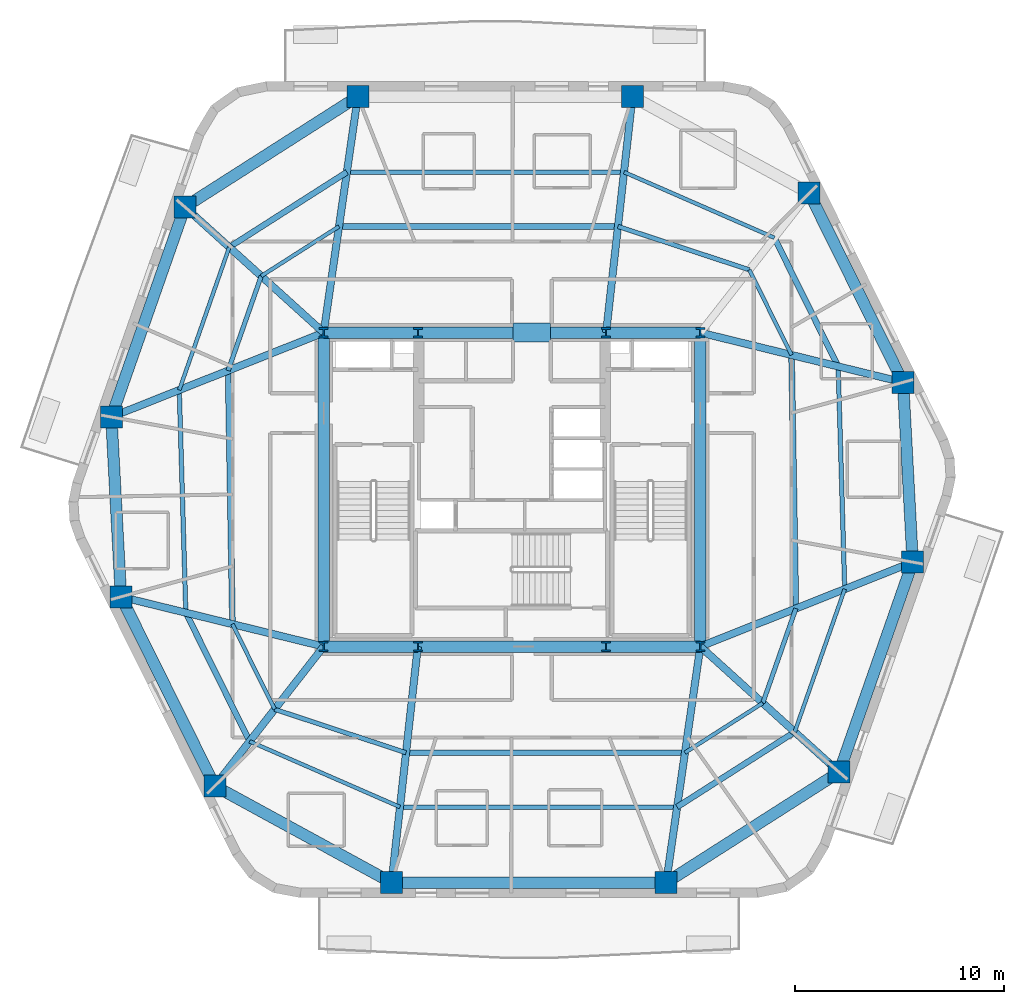
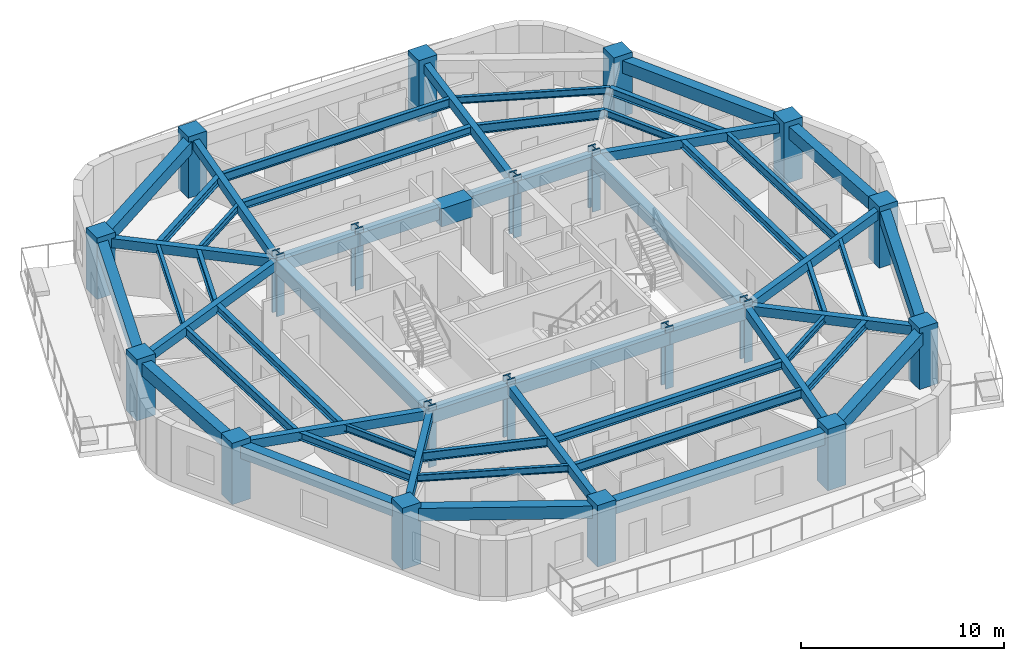
# One storey, part 1 of 11: 54 beams, 20 columns.
"""IFC4 building model written with IfcOpenShell, lengths in metres."""

from ifc_helpers import new_model, si_unit, direction, frame, origin, origin_2d, place, context, subcontext, project, spatial, rectangle, i_section, extrude, material, material_profile, profile_set, type_object, element, save


model = new_model("IFC4")

# Units and contexts
model_context = context("Model", 3, precision=1e-05, world=origin(), true_north=direction((0.0, 1.0)))
body_context = subcontext(model_context, "Body", "Model", "MODEL_VIEW")
ifc_project = project(units=[si_unit("LENGTHUNIT", "METRE"), si_unit("AREAUNIT", "SQUARE_METRE"), si_unit("VOLUMEUNIT", "CUBIC_METRE"), si_unit("PLANEANGLEUNIT", "RADIAN"), si_unit("MASSUNIT", "GRAM", prefix="KILO")], contexts=[model_context])

# Site, building, storey
site_placement = place(None, origin())
site = spatial("IfcSite", under=ifc_project, at=site_placement, CompositionType="ELEMENT")
building_placement = place(site_placement, origin())
building = spatial("IfcBuilding", under=site, at=building_placement, Name="Kilnhurst Terrace Hotel", CompositionType="ELEMENT")
storey_placement = place(building_placement, frame((0.0, 0.0, 166.5)))
storey = spatial("IfcBuildingStorey", under=building, at=storey_placement, Name="L41", CompositionType="ELEMENT", Elevation=166.5)

# Columns
ifc_material_1 = material(Name="Concrete C80/95", Category="concrete")
ifc_material_profile_1 = material_profile(ifc_material_1, rectangle(XDim=1.050048828125, YDim=1.050048828125, at=origin_2d()), Name="RC1050X1050")
ifc_profile_set_1 = profile_set([ifc_material_profile_1], Name="Concrete C80/95")
column_type_1 = type_object("IfcColumnType", Name="COL-RC-1050", PredefinedType="COLUMN", material=ifc_profile_set_1)
for number, where, z_axis, x_axis, name in (
    (1, (-5.7548828125, -18.780029296875, 0.0), (0.0, 0.0, 1.0), (1.0, 0.0, 0.0), "L41 Structural Column PC-F11"),
    (2, (7.368896484375, -18.780029296875, 0.0), (0.0, 0.0, 1.0), (1.0, 0.0, 0.0), "L41 Structural Column PC-F12"),
    (3, (15.633056640625, -13.5048828125, 0.0), (0.0, 0.0, 1.0), (1.0, 0.0, 0.0), "L41 Structural Column PC-F21"),
    (4, (19.14794921875, -3.467041015625, 0.0), (0.0, 0.0, 1.0), (1.0, 0.0, 0.0), "L41 Structural Column PC-F22"),
    (5, (18.68701171875, 5.1240234375, 0.0), (0.0, 0.0, 1.0), (1.0, 0.0, 0.0), "L41 Structural Column PC-F31"),
    (6, (14.2041015625, 14.166015625, 0.0), (0.0, 0.0, 1.0), (1.0, 0.0, 0.0), "L41 Structural Column PC-F32"),
    (7, (5.7548828125, 18.780029296875, 0.0), (0.0, 0.0, 1.0), (1.0, 0.0, 0.0), "L41 Structural Column PC-F41"),
    (8, (-7.368896484375, 18.780029296875, 0.0), (0.0, 0.0, 1.0), (1.0, 0.0, 0.0), "L41 Structural Column PC-F42"),
    (9, (-15.633056640625, 13.5048828125, 0.0), (0.0, 0.0, 1.0), (1.0, 0.0, 0.0), "L41 Structural Column PC-F51"),
    (10, (-19.14794921875, 3.467041015625, 0.0), (0.0, 0.0, 1.0), (1.0, 0.0, 0.0), "L41 Structural Column PC-F52"),
    (11, (-18.68701171875, -5.1240234375, 0.0), (0.0, 0.0, 1.0), (1.0, 0.0, 0.0), "L41 Structural Column PC-F61"),
    (12, (-14.2041015625, -14.166015625, 0.0), (0.0, 0.0, 1.0), (1.0, 0.0, 0.0), "L41 Structural Column PC-F62"),
):
    element("IfcColumn", number, at=place(storey_placement, frame(where, z_axis=z_axis, x_axis=x_axis)), inside=storey, type_object=column_type_1, Name=name, PredefinedType="COLUMN", context=body_context, shape_type="SweptSolid", body=[
        extrude(rectangle(XDim=1.050048828125, YDim=1.050048828125, at=origin_2d()), origin(), (0.0, 0.0, 1.0), 3.699951171875),
    ])
ifc_material_2 = material(Name="Steel ASTM A992 Grade 50", Category="steel")
ifc_material_profile_2 = material_profile(ifc_material_2, i_section(OverallWidth=0.43212890625, OverallDepth=0.497802734375, WebThickness=0.0556640625, FlangeThickness=0.0888671875, at=origin_2d()), Name="W14X500")
ifc_profile_set_2 = profile_set([ifc_material_profile_2], Name="Steel ASTM A992 Grade 50")
column_type_2 = type_object("IfcColumnType", Name="COL-STL-W14X500", PredefinedType="COLUMN", material=ifc_profile_set_2)
for number, where, z_axis, x_axis, name in (
    (13, (-9.0, -7.5, 0.0), (0.0, 0.0, 1.0), (1.0, 0.0, 0.0), "L41 Structural Column CC-SW"),
    (14, (-4.5, -7.5, 0.0), (0.0, 0.0, 1.0), (1.0, 0.0, 0.0), "L41 Structural Column CC-SC1"),
    (15, (4.5, -7.5, 0.0), (0.0, 0.0, 1.0), (1.0, 0.0, 0.0), "L41 Structural Column CC-SC2"),
    (16, (9.0, -7.5, 0.0), (0.0, 0.0, 1.0), (1.0, 0.0, 0.0), "L41 Structural Column CC-SE"),
    (17, (9.0, 7.5, 0.0), (0.0, 0.0, 1.0), (1.0, 0.0, 0.0), "L41 Structural Column CC-NE"),
    (18, (4.5, 7.5, 0.0), (0.0, 0.0, 1.0), (1.0, 0.0, 0.0), "L41 Structural Column CC-NC2"),
    (19, (-4.5, 7.5, 0.0), (0.0, 0.0, 1.0), (1.0, 0.0, 0.0), "L41 Structural Column CC-NC1"),
    (20, (-9.0, 7.5, 0.0), (0.0, 0.0, 1.0), (1.0, 0.0, 0.0), "L41 Structural Column CC-NW"),
):
    element("IfcColumn", number, at=place(storey_placement, frame(where, z_axis=z_axis, x_axis=x_axis)), inside=storey, type_object=column_type_2, Name=name, PredefinedType="COLUMN", context=body_context, shape_type="SweptSolid", body=[
        extrude(i_section(OverallWidth=0.43212890625, OverallDepth=0.497802734375, WebThickness=0.0556640625, FlangeThickness=0.0888671875, at=origin_2d()), origin(), (0.0, 0.0, 1.0), 3.699951171875),
    ])

# Beams
ifc_material_3 = material(Name="Concrete C50/60", Category="concrete")
ifc_material_profile_3 = material_profile(ifc_material_3, rectangle(XDim=0.35009765625, YDim=0.550048828125, at=origin_2d()), Name="RC350X550")
ifc_profile_set_3 = profile_set([ifc_material_profile_3], Name="Concrete C50/60")
beam_type_1 = type_object("IfcBeamType", Name="BM-RAD-350X550", PredefinedType="BEAM", material=ifc_profile_set_3)
beam_1_placement = place(storey_placement, frame((-4.5, -7.5, 3.10498046875), z_axis=(-0.110566099441, -0.993868772854, 0.0), x_axis=(0.993868772854, -0.110566099441, 0.0)))
element("IfcBeam", 21, at=beam_1_placement, inside=storey, type_object=beam_type_1, Name="L41 Radial Floor Beam 1", PredefinedType="BEAM", context=body_context, shape_type="SweptSolid", body=[
    extrude(rectangle(XDim=0.35009765625, YDim=0.550048828125, at=origin_2d()), origin(), (0.0, 0.0, 1.0), 11.349609375),
])
beam_2_placement = place(storey_placement, frame((9.0, -7.5, 3.10498046875), z_axis=(-0.143112538238, -0.989706421824, 0.0), x_axis=(0.989706421824, -0.143112538238, 0.0)))
element("IfcBeam", 22, at=beam_2_placement, inside=storey, type_object=beam_type_1, Name="L41 Radial Floor Beam 2", PredefinedType="BEAM", context=body_context, shape_type="SweptSolid", body=[
    extrude(rectangle(XDim=0.35009765625, YDim=0.550048828125, at=origin_2d()), origin(), (0.0, 0.0, 1.0), 11.3974609375),
])
beam_3_placement = place(storey_placement, frame((9.0, -7.5, 3.10498046875), z_axis=(0.741338585645, -0.671131210296, 0.0), x_axis=(0.671131210296, 0.741338585645, 0.0)))
element("IfcBeam", 23, at=beam_3_placement, inside=storey, type_object=beam_type_1, Name="L41 Radial Floor Beam 3", PredefinedType="BEAM", context=body_context, shape_type="SweptSolid", body=[
    extrude(rectangle(XDim=0.35009765625, YDim=0.550048828125, at=origin_2d()), origin(), (0.0, 0.0, 1.0), 8.947509765625),
])
beam_4_placement = place(storey_placement, frame((9.0, -7.5, 3.10498046875), z_axis=(0.929302373458, 0.369319778356, 0.0), x_axis=(-0.369319778356, 0.929302373458, 0.0)))
element("IfcBeam", 24, at=beam_4_placement, inside=storey, type_object=beam_type_1, Name="L41 Radial Floor Beam 4", PredefinedType="BEAM", context=body_context, shape_type="SweptSolid", body=[
    extrude(rectangle(XDim=0.35009765625, YDim=0.550048828125, at=origin_2d()), origin(), (0.0, 0.0, 1.0), 10.919921875),
])
beam_5_placement = place(storey_placement, frame((9.0, 7.5, 3.10498046875), z_axis=(0.971212767405, -0.238213686486, 0.0), x_axis=(0.238213686486, 0.971212767405, 0.0)))
element("IfcBeam", 25, at=beam_5_placement, inside=storey, type_object=beam_type_1, Name="L41 Radial Floor Beam 5", PredefinedType="BEAM", context=body_context, shape_type="SweptSolid", body=[
    extrude(rectangle(XDim=0.35009765625, YDim=0.550048828125, at=origin_2d()), origin(), (0.0, 0.0, 1.0), 9.97412109375),
])
beam_6_placement = place(storey_placement, frame((4.5, 7.5, 3.10498046875), z_axis=(0.110566099441, 0.993868772854, 0.0), x_axis=(-0.993868772854, 0.110566099441, 0.0)))
element("IfcBeam", 26, at=beam_6_placement, inside=storey, type_object=beam_type_1, Name="L41 Radial Floor Beam 7", PredefinedType="BEAM", context=body_context, shape_type="SweptSolid", body=[
    extrude(rectangle(XDim=0.35009765625, YDim=0.550048828125, at=origin_2d()), origin(), (0.0, 0.0, 1.0), 11.349609375),
])
beam_7_placement = place(storey_placement, frame((-9.0, 7.5, 3.10498046875), z_axis=(0.143112538238, 0.989706421824, 0.0), x_axis=(-0.989706421824, 0.143112538238, 0.0)))
element("IfcBeam", 27, at=beam_7_placement, inside=storey, type_object=beam_type_1, Name="L41 Radial Floor Beam 8", PredefinedType="BEAM", context=body_context, shape_type="SweptSolid", body=[
    extrude(rectangle(XDim=0.35009765625, YDim=0.550048828125, at=origin_2d()), origin(), (0.0, 0.0, 1.0), 11.3974609375),
])
beam_8_placement = place(storey_placement, frame((-9.0, 7.5, 3.10498046875), z_axis=(-0.741338585645, 0.671131210296, 0.0), x_axis=(-0.671131210296, -0.741338585645, 0.0)))
element("IfcBeam", 28, at=beam_8_placement, inside=storey, type_object=beam_type_1, Name="L41 Radial Floor Beam 9", PredefinedType="BEAM", context=body_context, shape_type="SweptSolid", body=[
    extrude(rectangle(XDim=0.35009765625, YDim=0.550048828125, at=origin_2d()), origin(), (0.0, 0.0, 1.0), 8.947509765625),
])
beam_9_placement = place(storey_placement, frame((-9.0, 7.5, 3.10498046875), z_axis=(-0.929302373458, -0.369319778356, 0.0), x_axis=(0.369319778356, -0.929302373458, 0.0)))
element("IfcBeam", 29, at=beam_9_placement, inside=storey, type_object=beam_type_1, Name="L41 Radial Floor Beam 10", PredefinedType="BEAM", context=body_context, shape_type="SweptSolid", body=[
    extrude(rectangle(XDim=0.35009765625, YDim=0.550048828125, at=origin_2d()), origin(), (0.0, 0.0, 1.0), 10.919921875),
])
beam_10_placement = place(storey_placement, frame((-9.0, -7.5, 3.10498046875), z_axis=(-0.971212767405, 0.238213686486, 0.0), x_axis=(-0.238213686486, -0.971212767405, 0.0)))
element("IfcBeam", 30, at=beam_10_placement, inside=storey, type_object=beam_type_1, Name="L41 Radial Floor Beam 11", PredefinedType="BEAM", context=body_context, shape_type="SweptSolid", body=[
    extrude(rectangle(XDim=0.35009765625, YDim=0.550048828125, at=origin_2d()), origin(), (0.0, 0.0, 1.0), 9.97412109375),
])
beam_11_placement = place(storey_placement, frame((-9.0, -7.5, 3.10498046875), z_axis=(-0.615370616457, -0.78823791104, 0.0), x_axis=(0.78823791104, -0.615370616457, 0.0)))
element("IfcBeam", 31, at=beam_11_placement, inside=storey, type_object=beam_type_1, Name="L41 Radial Floor Beam 12", PredefinedType="BEAM", context=body_context, shape_type="SweptSolid", body=[
    extrude(rectangle(XDim=0.35009765625, YDim=0.550048828125, at=origin_2d()), origin(), (0.0, 0.0, 1.0), 8.456787109375),
])
ifc_material_profile_4 = material_profile(ifc_material_3, rectangle(XDim=0.550048828125, YDim=0.75, at=origin_2d()), Name="RC550X750")
ifc_profile_set_4 = profile_set([ifc_material_profile_4], Name="Concrete C50/60")
beam_type_2 = type_object("IfcBeamType", Name="BM-SPN-550X750", PredefinedType="SPANDREL", material=ifc_profile_set_4)
beam_12_placement = place(storey_placement, frame((-9.0, 7.5, 3.0048828125), z_axis=(1.0, 0.0, 0.0), x_axis=(0.0, 1.0, 0.0)))
element("IfcBeam", 32, at=beam_12_placement, inside=storey, type_object=beam_type_2, Name="L41 Core Tie Beam CC-NW to CC-NC1", PredefinedType="SPANDREL", context=body_context, shape_type="SweptSolid", body=[
    extrude(rectangle(XDim=0.550048828125, YDim=0.75, at=origin_2d()), origin(), (0.0, 0.0, 1.0), 4.5),
])
beam_13_placement = place(storey_placement, frame((-4.5, 7.5, 3.0048828125), z_axis=(1.0, 0.0, 0.0), x_axis=(0.0, 1.0, 0.0)))
element("IfcBeam", 33, at=beam_13_placement, inside=storey, type_object=beam_type_2, Name="L41 Core Tie Beam CC-NC1 to CC-NC2", PredefinedType="SPANDREL", context=body_context, shape_type="SweptSolid", body=[
    extrude(rectangle(XDim=0.550048828125, YDim=0.75, at=origin_2d()), origin(), (0.0, 0.0, 1.0), 9.0),
])
for number, where, z_axis, x_axis, name in (
    (34, (4.5, 7.5, 3.0048828125), (1.0, 0.0, 0.0), (0.0, 1.0, 0.0), "L41 Core Tie Beam CC-NC2 to CC-NE"),
    (35, (-9.0, -7.5, 3.0048828125), (1.0, 0.0, 0.0), (0.0, 1.0, 0.0), "L41 Core Tie Beam CC-SW to CC-SC1"),
):
    element("IfcBeam", number, at=place(storey_placement, frame(where, z_axis=z_axis, x_axis=x_axis)), inside=storey, type_object=beam_type_2, Name=name, PredefinedType="SPANDREL", context=body_context, shape_type="SweptSolid", body=[
        extrude(rectangle(XDim=0.550048828125, YDim=0.75, at=origin_2d()), origin(), (0.0, 0.0, 1.0), 4.5),
    ])
beam_14_placement = place(storey_placement, frame((-4.5, -7.5, 3.0048828125), z_axis=(1.0, 0.0, 0.0), x_axis=(0.0, 1.0, 0.0)))
element("IfcBeam", 36, at=beam_14_placement, inside=storey, type_object=beam_type_2, Name="L41 Core Tie Beam CC-SC1 to CC-SC2", PredefinedType="SPANDREL", context=body_context, shape_type="SweptSolid", body=[
    extrude(rectangle(XDim=0.550048828125, YDim=0.75, at=origin_2d()), origin(), (0.0, 0.0, 1.0), 9.0),
])
beam_15_placement = place(storey_placement, frame((4.5, -7.5, 3.0048828125), z_axis=(1.0, 0.0, 0.0), x_axis=(0.0, 1.0, 0.0)))
element("IfcBeam", 37, at=beam_15_placement, inside=storey, type_object=beam_type_2, Name="L41 Core Tie Beam CC-SC2 to CC-SE", PredefinedType="SPANDREL", context=body_context, shape_type="SweptSolid", body=[
    extrude(rectangle(XDim=0.550048828125, YDim=0.75, at=origin_2d()), origin(), (0.0, 0.0, 1.0), 4.5),
])
for number, where, z_axis, x_axis, name in (
    (38, (-9.0, -7.5, 3.0048828125), (0.0, 1.0, 0.0), (-1.0, 0.0, 0.0), "L41 Core Tie Beam CC-SW to CC-NW"),
    (39, (9.0, -7.5, 3.0048828125), (0.0, 1.0, 0.0), (-1.0, 0.0, 0.0), "L41 Core Tie Beam CC-SE to CC-NE"),
):
    element("IfcBeam", number, at=place(storey_placement, frame(where, z_axis=z_axis, x_axis=x_axis)), inside=storey, type_object=beam_type_2, Name=name, PredefinedType="SPANDREL", context=body_context, shape_type="SweptSolid", body=[
        extrude(rectangle(XDim=0.550048828125, YDim=0.75, at=origin_2d()), origin(), (0.0, 0.0, 1.0), 15.0),
    ])
beam_16_placement = place(storey_placement, frame((-5.7548828125, -18.780029296875, 3.0048828125), z_axis=(1.0, 0.0, 0.0), x_axis=(0.0, 1.0, 0.0)))
element("IfcBeam", 40, at=beam_16_placement, inside=storey, type_object=beam_type_2, Name="L41 Perimeter Spandrel Beam 1", PredefinedType="SPANDREL", context=body_context, shape_type="SweptSolid", body=[
    extrude(rectangle(XDim=0.550048828125, YDim=0.75, at=origin_2d()), origin(), (0.0, 0.0, 1.0), 13.123779296875),
])
beam_17_placement = place(storey_placement, frame((7.368896484375, -18.780029296875, 3.0048828125), z_axis=(0.842915241256, 0.538046369803, 0.0), x_axis=(-0.538046369803, 0.842915241256, 0.0)))
element("IfcBeam", 41, at=beam_17_placement, inside=storey, type_object=beam_type_2, Name="L41 Perimeter Spandrel Beam 2", PredefinedType="SPANDREL", context=body_context, shape_type="SweptSolid", body=[
    extrude(rectangle(XDim=0.550048828125, YDim=0.75, at=origin_2d()), origin(), (0.0, 0.0, 1.0), 9.80419921875),
])
beam_18_placement = place(storey_placement, frame((15.633056640625, -13.5048828125, 3.0048828125), z_axis=(0.330488460168, 0.943810032632, 0.0), x_axis=(-0.943810032632, 0.330488460168, 0.0)))
element("IfcBeam", 42, at=beam_18_placement, inside=storey, type_object=beam_type_2, Name="L41 Perimeter Spandrel Beam 3", PredefinedType="SPANDREL", context=body_context, shape_type="SweptSolid", body=[
    extrude(rectangle(XDim=0.550048828125, YDim=0.75, at=origin_2d()), origin(), (0.0, 0.0, 1.0), 10.635498046875),
])
beam_19_placement = place(storey_placement, frame((19.14794921875, -3.467041015625, 3.0048828125), z_axis=(-0.053576072051, 0.998563770875, 0.0), x_axis=(-0.998563770875, -0.053576072051, 0.0)))
element("IfcBeam", 43, at=beam_19_placement, inside=storey, type_object=beam_type_2, Name="L41 Perimeter Spandrel Beam 4", PredefinedType="SPANDREL", context=body_context, shape_type="SweptSolid", body=[
    extrude(rectangle(XDim=0.550048828125, YDim=0.75, at=origin_2d()), origin(), (0.0, 0.0, 1.0), 8.603515625),
])
beam_20_placement = place(storey_placement, frame((18.68701171875, 5.1240234375, 3.0048828125), z_axis=(-0.444192032261, 0.895931603682, 0.0), x_axis=(-0.895931603682, -0.444192032261, 0.0)))
element("IfcBeam", 44, at=beam_20_placement, inside=storey, type_object=beam_type_2, Name="L41 Perimeter Spandrel Beam 5", PredefinedType="SPANDREL", context=body_context, shape_type="SweptSolid", body=[
    extrude(rectangle(XDim=0.550048828125, YDim=0.75, at=origin_2d()), origin(), (0.0, 0.0, 1.0), 10.09228515625),
])
beam_21_placement = place(storey_placement, frame((-7.368896484375, 18.780029296875, 3.0048828125), z_axis=(-0.842915241256, -0.538046369803, 0.0), x_axis=(0.538046369803, -0.842915241256, 0.0)))
element("IfcBeam", 45, at=beam_21_placement, inside=storey, type_object=beam_type_2, Name="L41 Perimeter Spandrel Beam 8", PredefinedType="SPANDREL", context=body_context, shape_type="SweptSolid", body=[
    extrude(rectangle(XDim=0.550048828125, YDim=0.75, at=origin_2d()), origin(), (0.0, 0.0, 1.0), 9.80419921875),
])
beam_22_placement = place(storey_placement, frame((-15.633056640625, 13.5048828125, 3.0048828125), z_axis=(-0.330488460168, -0.943810032632, 0.0), x_axis=(0.943810032632, -0.330488460168, 0.0)))
element("IfcBeam", 46, at=beam_22_placement, inside=storey, type_object=beam_type_2, Name="L41 Perimeter Spandrel Beam 9", PredefinedType="SPANDREL", context=body_context, shape_type="SweptSolid", body=[
    extrude(rectangle(XDim=0.550048828125, YDim=0.75, at=origin_2d()), origin(), (0.0, 0.0, 1.0), 10.635498046875),
])
beam_23_placement = place(storey_placement, frame((-19.14794921875, 3.467041015625, 3.0048828125), z_axis=(0.053576072051, -0.998563770875, 0.0), x_axis=(0.998563770875, 0.053576072051, 0.0)))
element("IfcBeam", 47, at=beam_23_placement, inside=storey, type_object=beam_type_2, Name="L41 Perimeter Spandrel Beam 10", PredefinedType="SPANDREL", context=body_context, shape_type="SweptSolid", body=[
    extrude(rectangle(XDim=0.550048828125, YDim=0.75, at=origin_2d()), origin(), (0.0, 0.0, 1.0), 8.603515625),
])
beam_24_placement = place(storey_placement, frame((-18.68701171875, -5.1240234375, 3.0048828125), z_axis=(0.444192032261, -0.895931603682, 0.0), x_axis=(0.895931603682, 0.444192032261, 0.0)))
element("IfcBeam", 48, at=beam_24_placement, inside=storey, type_object=beam_type_2, Name="L41 Perimeter Spandrel Beam 11", PredefinedType="SPANDREL", context=body_context, shape_type="SweptSolid", body=[
    extrude(rectangle(XDim=0.550048828125, YDim=0.75, at=origin_2d()), origin(), (0.0, 0.0, 1.0), 10.09228515625),
])
beam_25_placement = place(storey_placement, frame((-14.2041015625, -14.166015625, 3.0048828125), z_axis=(0.87766189723, -0.479280287672, 0.0), x_axis=(0.479280287672, 0.87766189723, 0.0)))
element("IfcBeam", 49, at=beam_25_placement, inside=storey, type_object=beam_type_2, Name="L41 Perimeter Spandrel Beam 12", PredefinedType="SPANDREL", context=body_context, shape_type="SweptSolid", body=[
    extrude(rectangle(XDim=0.550048828125, YDim=0.75, at=origin_2d()), origin(), (0.0, 0.0, 1.0), 9.626953125),
])
ifc_material_profile_5 = material_profile(ifc_material_2, i_section(OverallWidth=0.180908203125, OverallDepth=0.417236328125, WebThickness=0.010986328125, FlangeThickness=0.018310546875, at=origin_2d()), Name="W16X57")
ifc_profile_set_5 = profile_set([ifc_material_profile_5], Name="Steel ASTM A992 Grade 50")
beam_type_3 = type_object("IfcBeamType", Name="JST-STL-W16X57", PredefinedType="JOIST", material=ifc_profile_set_5)
beam_26_placement = place(storey_placement, frame((13.510498046875, -11.58349609375, 3.1708984375), z_axis=(0.330481239411, 0.943812561051, 0.0), x_axis=(-0.943812561051, 0.330481239411, 0.0)))
element("IfcBeam", 50, at=beam_26_placement, inside=storey, type_object=beam_type_3, Name="L41 Secondary Floor Steel Joist OUT.3", PredefinedType="JOIST", context=body_context, shape_type="SweptSolid", body=[
    extrude(i_section(OverallWidth=0.180908203125, OverallDepth=0.417236328125, WebThickness=0.010986328125, FlangeThickness=0.018310546875, at=origin_2d()), origin(), (0.0, 0.0, 1.0), 7.232177734375),
])
beam_27_placement = place(storey_placement, frame((12.538818359375, 12.032958984375, 3.1708984375), z_axis=(-0.916443679054, 0.400163695407, 0.0), x_axis=(-0.400163695407, -0.916443679054, 0.0)))
element("IfcBeam", 51, at=beam_27_placement, inside=storey, type_object=beam_type_3, Name="L41 Secondary Floor Steel Joist OUT.6", PredefinedType="JOIST", context=body_context, shape_type="SweptSolid", body=[
    extrude(i_section(OverallWidth=0.180908203125, OverallDepth=0.417236328125, WebThickness=0.010986328125, FlangeThickness=0.018310546875, at=origin_2d()), origin(), (0.0, 0.0, 1.0), 7.84033203125),
])
beam_28_placement = place(storey_placement, frame((-13.510498046875, 11.58349609375, 3.1708984375), z_axis=(-0.330481239411, -0.943812561051, 0.0), x_axis=(0.943812561051, -0.330481239411, 0.0)))
element("IfcBeam", 52, at=beam_28_placement, inside=storey, type_object=beam_type_3, Name="L41 Secondary Floor Steel Joist OUT.9", PredefinedType="JOIST", context=body_context, shape_type="SweptSolid", body=[
    extrude(i_section(OverallWidth=0.180908203125, OverallDepth=0.417236328125, WebThickness=0.010986328125, FlangeThickness=0.018310546875, at=origin_2d()), origin(), (0.0, 0.0, 1.0), 7.232177734375),
])
beam_29_placement = place(storey_placement, frame((-12.538818359375, -12.032958984375, 3.1708984375), z_axis=(0.916443679054, -0.400163695407, 0.0), x_axis=(0.400163695407, 0.916443679054, 0.0)))
element("IfcBeam", 53, at=beam_29_placement, inside=storey, type_object=beam_type_3, Name="L41 Secondary Floor Steel Joist OUT.12", PredefinedType="JOIST", context=body_context, shape_type="SweptSolid", body=[
    extrude(i_section(OverallWidth=0.180908203125, OverallDepth=0.417236328125, WebThickness=0.010986328125, FlangeThickness=0.018310546875, at=origin_2d()), origin(), (0.0, 0.0, 1.0), 7.84033203125),
])
beam_30_placement = place(storey_placement, frame((8.26611328125, -12.575927734375, 3.1708984375), z_axis=(0.842910995806, 0.53805302076, 0.0), x_axis=(-0.53805302076, 0.842910995806, 0.0)))
element("IfcBeam", 54, at=beam_30_placement, inside=storey, type_object=beam_type_3, Name="L41 Secondary Floor Steel Joist IN.2", PredefinedType="JOIST", context=body_context, shape_type="SweptSolid", body=[
    extrude(i_section(OverallWidth=0.180908203125, OverallDepth=0.417236328125, WebThickness=0.010986328125, FlangeThickness=0.018310546875, at=origin_2d()), origin(), (0.0, 0.0, 1.0), 4.411865234375),
])
beam_31_placement = place(storey_placement, frame((13.359130859375, 6.430908203125, 3.1708984375), z_axis=(-0.444200626094, 0.895927342912, 0.0), x_axis=(-0.895927342912, -0.444200626094, 0.0)))
element("IfcBeam", 55, at=beam_31_placement, inside=storey, type_object=beam_type_3, Name="L41 Secondary Floor Steel Joist IN.5", PredefinedType="JOIST", context=body_context, shape_type="SweptSolid", body=[
    extrude(i_section(OverallWidth=0.180908203125, OverallDepth=0.417236328125, WebThickness=0.010986328125, FlangeThickness=0.018310546875, at=origin_2d()), origin(), (0.0, 0.0, 1.0), 4.54150390625),
])
beam_32_placement = place(storey_placement, frame((-8.26611328125, 12.575927734375, 3.1708984375), z_axis=(-0.842910995806, -0.53805302076, 0.0), x_axis=(0.53805302076, -0.842910995806, 0.0)))
element("IfcBeam", 56, at=beam_32_placement, inside=storey, type_object=beam_type_3, Name="L41 Secondary Floor Steel Joist IN.8", PredefinedType="JOIST", context=body_context, shape_type="SweptSolid", body=[
    extrude(i_section(OverallWidth=0.180908203125, OverallDepth=0.417236328125, WebThickness=0.010986328125, FlangeThickness=0.018310546875, at=origin_2d()), origin(), (0.0, 0.0, 1.0), 4.411865234375),
])
beam_33_placement = place(storey_placement, frame((-13.359130859375, -6.430908203125, 3.1708984375), z_axis=(0.444200626094, -0.895927342912, 0.0), x_axis=(0.895927342912, 0.444200626094, 0.0)))
element("IfcBeam", 57, at=beam_33_placement, inside=storey, type_object=beam_type_3, Name="L41 Secondary Floor Steel Joist IN.11", PredefinedType="JOIST", context=body_context, shape_type="SweptSolid", body=[
    extrude(i_section(OverallWidth=0.180908203125, OverallDepth=0.417236328125, WebThickness=0.010986328125, FlangeThickness=0.018310546875, at=origin_2d()), origin(), (0.0, 0.0, 1.0), 4.54150390625),
])
ifc_material_profile_6 = material_profile(ifc_material_2, i_section(OverallWidth=0.279296875, OverallDepth=0.462890625, WebThickness=0.0107421875, FlangeThickness=0.017333984375, at=origin_2d()), Name="W18X76")
ifc_profile_set_6 = profile_set([ifc_material_profile_6], Name="Steel ASTM A992 Grade 50")
beam_type_4 = type_object("IfcBeamType", Name="JST-STL-W18X76", PredefinedType="JOIST", material=ifc_profile_set_6)
beam_34_placement = place(storey_placement, frame((7.890869140625, -15.17041015625, 3.14794921875), z_axis=(0.842927863369, 0.538026595213, 0.0), x_axis=(-0.538026595213, 0.842927863369, 0.0)))
element("IfcBeam", 58, at=beam_34_placement, inside=storey, type_object=beam_type_4, Name="L41 Secondary Floor Steel Joist OUT.2", PredefinedType="JOIST", context=body_context, shape_type="SweptSolid", body=[
    extrude(i_section(OverallWidth=0.279296875, OverallDepth=0.462890625, WebThickness=0.0107421875, FlangeThickness=0.017333984375, at=origin_2d()), origin(), (0.0, 0.0, 1.0), 6.666748046875),
])
beam_35_placement = place(storey_placement, frame((15.587158203125, 5.88427734375, 3.14794921875), z_axis=(-0.444180101574, 0.895937518673, 0.0), x_axis=(-0.895937518673, -0.444180101574, 0.0)))
element("IfcBeam", 59, at=beam_35_placement, inside=storey, type_object=beam_type_4, Name="L41 Secondary Floor Steel Joist OUT.5", PredefinedType="JOIST", context=body_context, shape_type="SweptSolid", body=[
    extrude(i_section(OverallWidth=0.279296875, OverallDepth=0.462890625, WebThickness=0.0107421875, FlangeThickness=0.017333984375, at=origin_2d()), origin(), (0.0, 0.0, 1.0), 6.86279296875),
])
beam_36_placement = place(storey_placement, frame((-7.890869140625, 15.17041015625, 3.14794921875), z_axis=(-0.842927863369, -0.538026595213, 0.0), x_axis=(0.538026595213, -0.842927863369, 0.0)))
element("IfcBeam", 60, at=beam_36_placement, inside=storey, type_object=beam_type_4, Name="L41 Secondary Floor Steel Joist OUT.8", PredefinedType="JOIST", context=body_context, shape_type="SweptSolid", body=[
    extrude(i_section(OverallWidth=0.279296875, OverallDepth=0.462890625, WebThickness=0.0107421875, FlangeThickness=0.017333984375, at=origin_2d()), origin(), (0.0, 0.0, 1.0), 6.666748046875),
])
beam_37_placement = place(storey_placement, frame((-15.587158203125, -5.88427734375, 3.14794921875), z_axis=(0.444180101574, -0.895937518673, 0.0), x_axis=(0.895937518673, 0.444180101574, 0.0)))
element("IfcBeam", 61, at=beam_37_placement, inside=storey, type_object=beam_type_4, Name="L41 Secondary Floor Steel Joist OUT.11", PredefinedType="JOIST", context=body_context, shape_type="SweptSolid", body=[
    extrude(i_section(OverallWidth=0.279296875, OverallDepth=0.462890625, WebThickness=0.0107421875, FlangeThickness=0.017333984375, at=origin_2d()), origin(), (0.0, 0.0, 1.0), 6.86279296875),
])
beam_38_placement = place(storey_placement, frame((-5.064697265625, -12.575927734375, 3.14794921875), z_axis=(1.0, 0.0, 0.0), x_axis=(0.0, 1.0, 0.0)))
element("IfcBeam", 62, at=beam_38_placement, inside=storey, type_object=beam_type_4, Name="L41 Secondary Floor Steel Joist IN.1", PredefinedType="JOIST", context=body_context, shape_type="SweptSolid", body=[
    extrude(i_section(OverallWidth=0.279296875, OverallDepth=0.462890625, WebThickness=0.0107421875, FlangeThickness=0.017333984375, at=origin_2d()), origin(), (0.0, 0.0, 1.0), 13.330810546875),
])
beam_39_placement = place(storey_placement, frame((13.566650390625, -5.685302734375, 3.14794921875), z_axis=(-0.017124916462, 0.999853357866, 0.0), x_axis=(-0.999853357866, -0.017124916462, 0.0)))
element("IfcBeam", 63, at=beam_39_placement, inside=storey, type_object=beam_type_4, Name="L41 Secondary Floor Steel Joist IN.4", PredefinedType="JOIST", context=body_context, shape_type="SweptSolid", body=[
    extrude(i_section(OverallWidth=0.279296875, OverallDepth=0.462890625, WebThickness=0.0107421875, FlangeThickness=0.017333984375, at=origin_2d()), origin(), (0.0, 0.0, 1.0), 12.117919921875),
])
beam_40_placement = place(storey_placement, frame((5.064697265625, 12.575927734375, 3.14794921875), z_axis=(-1.0, 0.0, 0.0), x_axis=(0.0, -1.0, 0.0)))
element("IfcBeam", 64, at=beam_40_placement, inside=storey, type_object=beam_type_4, Name="L41 Secondary Floor Steel Joist IN.7", PredefinedType="JOIST", context=body_context, shape_type="SweptSolid", body=[
    extrude(i_section(OverallWidth=0.279296875, OverallDepth=0.462890625, WebThickness=0.0107421875, FlangeThickness=0.017333984375, at=origin_2d()), origin(), (0.0, 0.0, 1.0), 13.330810546875),
])
beam_41_placement = place(storey_placement, frame((-13.566650390625, 5.685302734375, 3.14794921875), z_axis=(0.017124916462, -0.999853357866, 0.0), x_axis=(0.999853357866, 0.017124916462, 0.0)))
element("IfcBeam", 65, at=beam_41_placement, inside=storey, type_object=beam_type_4, Name="L41 Secondary Floor Steel Joist IN.10", PredefinedType="JOIST", context=body_context, shape_type="SweptSolid", body=[
    extrude(i_section(OverallWidth=0.279296875, OverallDepth=0.462890625, WebThickness=0.0107421875, FlangeThickness=0.017333984375, at=origin_2d()), origin(), (0.0, 0.0, 1.0), 12.117919921875),
])
ifc_material_profile_7 = material_profile(ifc_material_2, i_section(OverallWidth=0.2138671875, OverallDepth=0.549072265625, WebThickness=0.0146484375, FlangeThickness=0.023681640625, at=origin_2d()), Name="W21X93")
ifc_profile_set_7 = profile_set([ifc_material_profile_7], Name="Steel ASTM A992 Grade 50")
beam_type_5 = type_object("IfcBeamType", Name="JST-STL-W21X93", PredefinedType="JOIST", material=ifc_profile_set_7)
beam_42_placement = place(storey_placement, frame((-5.353515625, -15.17041015625, 3.10498046875), z_axis=(1.0, 0.0, 0.0), x_axis=(0.0, 1.0, 0.0)))
element("IfcBeam", 66, at=beam_42_placement, inside=storey, type_object=beam_type_5, Name="L41 Secondary Floor Steel Joist OUT.1", PredefinedType="JOIST", context=body_context, shape_type="SweptSolid", body=[
    extrude(i_section(OverallWidth=0.2138671875, OverallDepth=0.549072265625, WebThickness=0.0146484375, FlangeThickness=0.023681640625, at=origin_2d()), origin(), (0.0, 0.0, 1.0), 13.244384765625),
])
beam_43_placement = place(storey_placement, frame((15.900634765625, -4.757568359375, 3.10498046875), z_axis=(-0.029444201298, 0.999566425512, 0.0), x_axis=(-0.999566425512, -0.029444201298, 0.0)))
element("IfcBeam", 67, at=beam_43_placement, inside=storey, type_object=beam_type_5, Name="L41 Secondary Floor Steel Joist OUT.4", PredefinedType="JOIST", context=body_context, shape_type="SweptSolid", body=[
    extrude(i_section(OverallWidth=0.2138671875, OverallDepth=0.549072265625, WebThickness=0.0146484375, FlangeThickness=0.023681640625, at=origin_2d()), origin(), (0.0, 0.0, 1.0), 10.646484375),
])
beam_44_placement = place(storey_placement, frame((5.353515625, 15.17041015625, 3.10498046875), z_axis=(-1.0, 0.0, 0.0), x_axis=(0.0, -1.0, 0.0)))
element("IfcBeam", 68, at=beam_44_placement, inside=storey, type_object=beam_type_5, Name="L41 Secondary Floor Steel Joist OUT.7", PredefinedType="JOIST", context=body_context, shape_type="SweptSolid", body=[
    extrude(i_section(OverallWidth=0.2138671875, OverallDepth=0.549072265625, WebThickness=0.0146484375, FlangeThickness=0.023681640625, at=origin_2d()), origin(), (0.0, 0.0, 1.0), 13.244384765625),
])
beam_45_placement = place(storey_placement, frame((-15.900634765625, 4.757568359375, 3.10498046875), z_axis=(0.029444201298, -0.999566425512, 0.0), x_axis=(0.999566425512, 0.029444201298, 0.0)))
element("IfcBeam", 69, at=beam_45_placement, inside=storey, type_object=beam_type_5, Name="L41 Secondary Floor Steel Joist OUT.10", PredefinedType="JOIST", context=body_context, shape_type="SweptSolid", body=[
    extrude(i_section(OverallWidth=0.2138671875, OverallDepth=0.549072265625, WebThickness=0.0146484375, FlangeThickness=0.023681640625, at=origin_2d()), origin(), (0.0, 0.0, 1.0), 10.646484375),
])
beam_46_placement = place(storey_placement, frame((11.98486328125, -10.2021484375, 3.10498046875), z_axis=(0.330516298629, 0.943800284139, 0.0), x_axis=(-0.943800284139, 0.330516298629, 0.0)))
element("IfcBeam", 70, at=beam_46_placement, inside=storey, type_object=beam_type_5, Name="L41 Secondary Floor Steel Joist IN.3", PredefinedType="JOIST", context=body_context, shape_type="SweptSolid", body=[
    extrude(i_section(OverallWidth=0.2138671875, OverallDepth=0.549072265625, WebThickness=0.0146484375, FlangeThickness=0.023681640625, at=origin_2d()), origin(), (0.0, 0.0, 1.0), 4.785888671875),
])
beam_47_placement = place(storey_placement, frame((11.341796875, 10.499755859375, 3.10498046875), z_axis=(-0.949415572736, 0.314022404051, 0.0), x_axis=(-0.314022404051, -0.949415572736, 0.0)))
element("IfcBeam", 71, at=beam_47_placement, inside=storey, type_object=beam_type_5, Name="L41 Secondary Floor Steel Joist IN.6", PredefinedType="JOIST", context=body_context, shape_type="SweptSolid", body=[
    extrude(i_section(OverallWidth=0.2138671875, OverallDepth=0.549072265625, WebThickness=0.0146484375, FlangeThickness=0.023681640625, at=origin_2d()), origin(), (0.0, 0.0, 1.0), 6.611572265625),
])
beam_48_placement = place(storey_placement, frame((-11.98486328125, 10.2021484375, 3.10498046875), z_axis=(-0.330516298629, -0.943800284139, 0.0), x_axis=(0.943800284139, -0.330516298629, 0.0)))
element("IfcBeam", 72, at=beam_48_placement, inside=storey, type_object=beam_type_5, Name="L41 Secondary Floor Steel Joist IN.9", PredefinedType="JOIST", context=body_context, shape_type="SweptSolid", body=[
    extrude(i_section(OverallWidth=0.2138671875, OverallDepth=0.549072265625, WebThickness=0.0146484375, FlangeThickness=0.023681640625, at=origin_2d()), origin(), (0.0, 0.0, 1.0), 4.785888671875),
])
beam_49_placement = place(storey_placement, frame((-11.341796875, -10.499755859375, 3.10498046875), z_axis=(0.949415572736, -0.314022404051, 0.0), x_axis=(0.314022404051, 0.949415572736, 0.0)))
element("IfcBeam", 73, at=beam_49_placement, inside=storey, type_object=beam_type_5, Name="L41 Secondary Floor Steel Joist IN.12", PredefinedType="JOIST", context=body_context, shape_type="SweptSolid", body=[
    extrude(i_section(OverallWidth=0.2138671875, OverallDepth=0.549072265625, WebThickness=0.0146484375, FlangeThickness=0.023681640625, at=origin_2d()), origin(), (0.0, 0.0, 1.0), 6.611572265625),
])
ifc_material_profile_8 = material_profile(ifc_material_1, rectangle(XDim=0.89990234375, YDim=1.10009765625, at=origin_2d()), Name="RC900X1100")
ifc_profile_set_8 = profile_set([ifc_material_profile_8], Name="Concrete C80/95")
beam_type_6 = type_object("IfcBeamType", Name="LNT-CB-900X1100", PredefinedType="LINTEL", material=ifc_profile_set_8)
beam_50_placement = place(storey_placement, frame((0.050048828125, 7.5, 2.830078125), z_axis=(1.0, 0.0, 0.0), x_axis=(0.0, 1.0, 0.0)))
element("IfcBeam", 74, at=beam_50_placement, inside=storey, type_object=beam_type_6, Name="L41 North Core Coupling Link Beam", PredefinedType="LINTEL", context=body_context, shape_type="SweptSolid", body=[
    extrude(rectangle(XDim=0.89990234375, YDim=1.10009765625, at=origin_2d()), origin(), (0.0, 0.0, 1.0), 1.800048828125),
])

save(model, "model.ifc")
